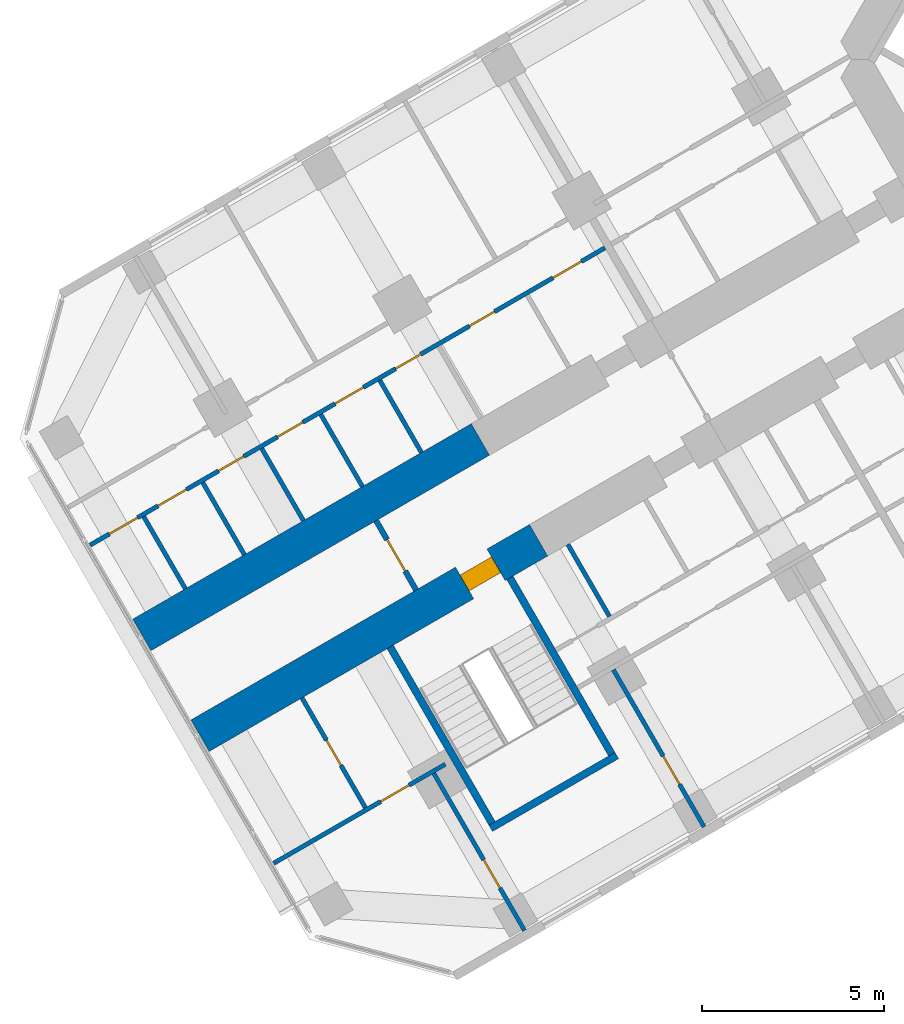
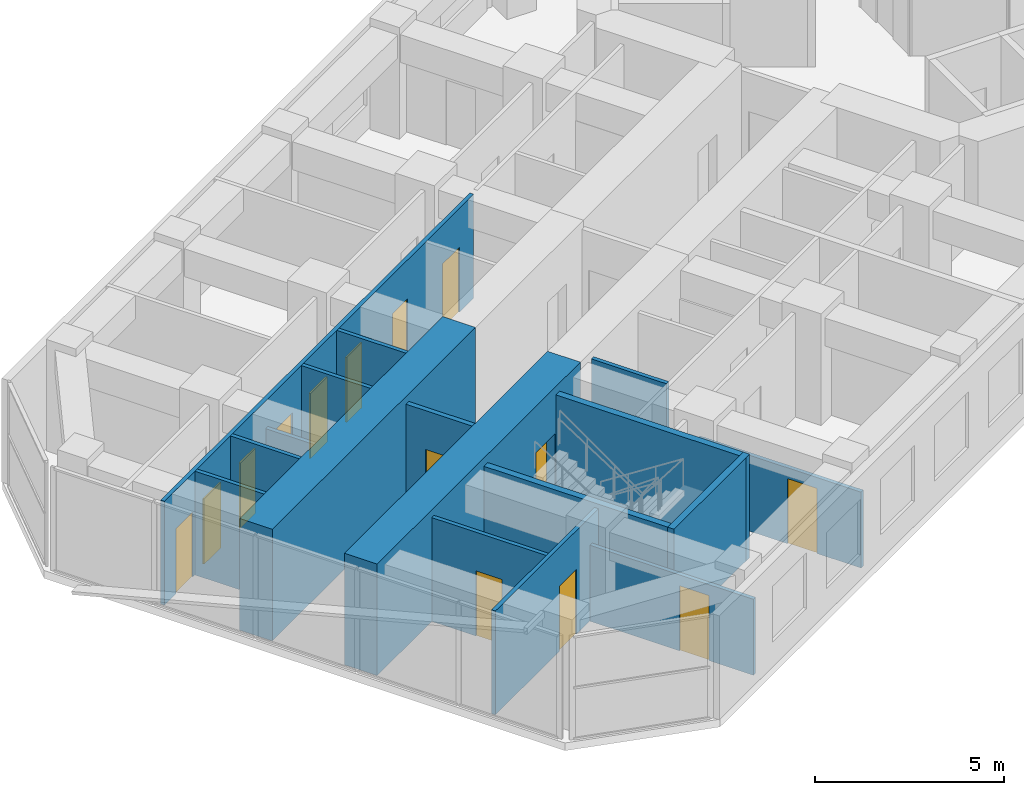
# One storey, part 10 of 21: 17 walls, 14 doors, 14 openings.
"""IFC4 building model written with IfcOpenShell, lengths in metres."""

from ifc_helpers import new_model, si_unit, direction, frame, frame_2d, origin, place, context, subcontext, project, spatial, rectangle, extrude, material, layer, layer_set, type_object, element, fill, save


model = new_model("IFC4")

# Units and contexts
model_context = context("Model", 3, precision=1e-05, world=origin(), true_north=direction((0.0, 1.0)))
body_context = subcontext(model_context, "Body", "Model", "MODEL_VIEW")
ifc_project = project(units=[si_unit("LENGTHUNIT", "METRE"), si_unit("AREAUNIT", "SQUARE_METRE"), si_unit("VOLUMEUNIT", "CUBIC_METRE"), si_unit("PLANEANGLEUNIT", "RADIAN"), si_unit("MASSUNIT", "GRAM", prefix="KILO")], contexts=[model_context])

# Site, building, storey
site_placement = place(None, origin())
site = spatial("IfcSite", under=ifc_project, at=site_placement, CompositionType="ELEMENT")
building_placement = place(site_placement, origin())
building = spatial("IfcBuilding", under=site, at=building_placement, Name="Kosmar Iwan School Tower", CompositionType="ELEMENT")
storey_placement = place(building_placement, frame((0.0, 0.0, 98.800048828125)))
storey = spatial("IfcBuildingStorey", under=building, at=storey_placement, Name="L24", CompositionType="ELEMENT", Elevation=98.800048828125)

# Wall, opening, door
ifc_material_1 = material(Name="Concrete C50/60", Category="concrete")
ifc_layer_1 = layer(ifc_material_1, 1.0)
ifc_layer_set_1 = layer_set([ifc_layer_1], Name="Corridor buttress wall 1000")
wall_type_1 = type_object("IfcWallType", Name="Corridor buttress wall 1000", PredefinedType="SHEAR", material=ifc_layer_set_1)
wall_1_placement = place(storey_placement, frame((-19.681396484375, -13.210693359375, 0.0), z_axis=(0.0, 0.0, 1.0), x_axis=(-0.866028186671, -0.499995179869, 0.0)))
wall_1 = element("IfcWall", 1, at=wall_1_placement, inside=storey, type_object=wall_type_1, Name="Corridor wall BL bay 3", PredefinedType="SHEAR", context=body_context, shape_type="SweptSolid", body=[
    extrude(rectangle(XDim=10.7451171875, YDim=1.0, at=frame_2d((5.37255859375, 0.0))), origin(), (0.0, 0.0, 1.0), 3.599853515625),
])
opening_1_placement = place(wall_1_placement, frame((1.35009765625, 0.0, 0.0)))
opening_1 = element("IfcOpeningElement", 2, at=opening_1_placement, cuts=wall_1, Name="Opening D6", PredefinedType="OPENING", context=body_context, shape_type="SweptSolid", body=[
    extrude(rectangle(XDim=1.0, YDim=2.10009765625, at=frame_2d((0.5, 1.050048828125))), frame((0.0, 0.511962890625, 0.0), z_axis=(0.0, -1.0, 0.0), x_axis=(1.0, 0.0, 0.0)), (0.0, 0.0, 1.0), 1.02392578125),
])
ifc_material_2 = material(Name="Steel fire door", Category="steel")
door_type_1 = type_object("IfcDoorType", Name="Stair door 1000x2100", OperationType="SINGLE_SWING_LEFT", PredefinedType="DOOR", material=ifc_material_2)
door_1_placement = place(opening_1_placement, origin())
door_1 = element("IfcDoor", 3, at=door_1_placement, inside=storey, type_object=door_type_1, Name="Stair WS2 door L24", OperationType="SINGLE_SWING_LEFT", OverallHeight=2.10009765625, OverallWidth=1.0, PredefinedType="DOOR", context=body_context, shape_type="SweptSolid", body=[
    extrude(rectangle(XDim=1.0, YDim=2.10009765625, at=frame_2d((0.5, 1.050048828125))), frame((0.0, 0.25, 0.0), z_axis=(0.0, -1.0, 0.0), x_axis=(1.0, 0.0, 0.0)), (0.0, 0.0, 1.0), 0.5),
])
fill(opening_1, door_1)

# Wall
wall_2_placement = place(storey_placement, frame((-21.281494140625, -10.439453125, 0.0), z_axis=(0.0, 0.0, 1.0), x_axis=(-0.866032345022, -0.499987977232, 0.0)))
element("IfcWall", 4, at=wall_2_placement, inside=storey, type_object=wall_type_1, Name="Corridor wall BR bay 3", PredefinedType="SHEAR", context=body_context, shape_type="SweptSolid", body=[
    extrude(rectangle(XDim=10.744873046875, YDim=1.0, at=frame_2d((5.37255859375, 0.0))), origin(), (0.0, 0.0, 1.0), 3.599853515625),
])

# Wall, opening, door
ifc_material_3 = material(Name="Gypsum board on steel studs, fire-rated", Category="steel")
ifc_layer_2 = layer(ifc_material_3, 0.14990234375)
ifc_layer_set_2 = layer_set([ifc_layer_2], Name="Corridor end wall 150")
wall_type_2 = type_object("IfcWallType", Name="Corridor end wall 150", PredefinedType="PARTITIONING", material=ifc_layer_set_2)
wall_3_placement = place(storey_placement, frame((-24.149169921875, -12.67236328125, 0.0), z_axis=(0.0, 0.0, 1.0), x_axis=(0.50002983664, -0.866008176907, 0.0)))
wall_3 = element("IfcWall", 5, at=wall_3_placement, inside=storey, type_object=wall_type_2, Name="Partition L24-B-CE", PredefinedType="PARTITIONING", context=body_context, shape_type="SweptSolid", body=[
    extrude(rectangle(XDim=2.199951171875, YDim=0.14990234375, at=frame_2d((1.10009765625, 0.0))), origin(), (0.0, 0.0, 1.0), 3.349853515625),
])
opening_2_placement = place(wall_3_placement, frame((0.60009765625, 0.0, 0.0)))
opening_2 = element("IfcOpeningElement", 6, at=opening_2_placement, cuts=wall_3, Name="Opening D13", PredefinedType="OPENING", context=body_context, shape_type="SweptSolid", body=[
    extrude(rectangle(XDim=1.0, YDim=2.10009765625, at=frame_2d((0.5, 1.050048828125))), frame((0.0, 0.0869140625, 0.0), z_axis=(0.0, -1.0, 0.0), x_axis=(1.0, 0.0, 0.0)), (0.0, 0.0, 1.0), 0.173828125),
])
ifc_material_4 = material(Name="Timber fire door with vision panel", Category="wood")
door_type_2 = type_object("IfcDoorType", Name="Corridor end door 1000x2100", OperationType="SINGLE_SWING_LEFT", PredefinedType="DOOR", material=ifc_material_4)
door_2_placement = place(opening_2_placement, origin())
door_2 = element("IfcDoor", 7, at=door_2_placement, inside=storey, type_object=door_type_2, Name="Reading room door L24-B", OperationType="SINGLE_SWING_RIGHT", OverallHeight=2.10009765625, OverallWidth=1.0, PredefinedType="DOOR", context=body_context, shape_type="SweptSolid", body=[
    extrude(rectangle(XDim=1.0, YDim=2.10009765625, at=frame_2d((0.5, 1.050048828125))), frame((0.0, 0.02490234375, 0.0), z_axis=(0.0, -1.0, 0.0), x_axis=(1.0, 0.0, 0.0)), (0.0, 0.0, 1.0), 0.050048828125),
])
fill(opening_2, door_2)

# Wall
ifc_material_5 = material(Name="Gypsum board on steel studs", Category="steel")
ifc_layer_3 = layer(ifc_material_5, 0.1201171875)
ifc_layer_set_3 = layer_set([ifc_layer_3], Name="Dwelling partition 120")
wall_type_3 = type_object("IfcWallType", Name="Dwelling partition 120", PredefinedType="PARTITIONING", material=ifc_layer_set_3)
wall_4_placement = place(storey_placement, frame((-18.877197265625, -13.32373046875, 0.0), z_axis=(0.0, 0.0, 1.0), x_axis=(0.500014693593, -0.866016920268, 0.0)))
element("IfcWall", 8, at=wall_4_placement, inside=storey, type_object=wall_type_3, Name="Partition L24-BL2-Y4", PredefinedType="PARTITIONING", context=body_context, shape_type="SweptSolid", body=[
    extrude(rectangle(XDim=2.2900390625, YDim=0.1201171875, at=frame_2d((1.14501953125, 0.0))), origin(), (0.0, 0.0, 1.0), 3.349853515625),
])

# Wall, opening, door
wall_5_placement = place(storey_placement, frame((-17.62646484375, -16.77001953125, 0.0), z_axis=(0.0, 0.0, 1.0), x_axis=(0.499975153383, -0.86603974851, 0.0)))
wall_5 = element("IfcWall", 9, at=wall_5_placement, inside=storey, type_object=wall_type_3, Name="Partition L24-BL2-TB", PredefinedType="PARTITIONING", context=body_context, shape_type="SweptSolid", body=[
    extrude(rectangle(XDim=4.989990234375, YDim=0.1201171875, at=frame_2d((2.4951171875, 0.0))), origin(), (0.0, 0.0, 1.0), 2.449951171875),
])
opening_3_placement = place(wall_5_placement, frame((2.739990234375, 0.0, 0.0)))
opening_3 = element("IfcOpeningElement", 10, at=opening_3_placement, cuts=wall_5, Name="Opening D2", PredefinedType="OPENING", context=body_context, shape_type="SweptSolid", body=[
    extrude(rectangle(XDim=0.89990234375, YDim=2.10009765625, at=frame_2d((0.449951171875, 1.050048828125))), frame((0.0, 0.072021484375, 0.0), z_axis=(0.0, -1.0, 0.0), x_axis=(1.0, 0.0, 0.0)), (0.0, 0.0, 1.0), 0.14404296875),
])
ifc_material_6 = material(Name="Timber door in timber frame", Category="wood")
door_type_3 = type_object("IfcDoorType", Name="Internal door 900x2100", OperationType="SINGLE_SWING_LEFT", PredefinedType="DOOR", material=ifc_material_6)
door_3_placement = place(opening_3_placement, origin())
door_3 = element("IfcDoor", 11, at=door_3_placement, inside=storey, type_object=door_type_3, Name="Study door L24-BL2-F2", OperationType="SINGLE_SWING_RIGHT", OverallHeight=2.10009765625, OverallWidth=0.89990234375, PredefinedType="DOOR", context=body_context, shape_type="SweptSolid", body=[
    extrude(rectangle(XDim=0.89990234375, YDim=2.10009765625, at=frame_2d((0.449951171875, 1.050048828125))), frame((0.0, 0.02490234375, 0.0), z_axis=(0.0, -1.0, 0.0), x_axis=(1.0, 0.0, 0.0)), (0.0, 0.0, 1.0), 0.050048828125),
])
fill(opening_3, door_3)

wall_6_placement = place(storey_placement, frame((-22.562744140625, -19.6201171875, 0.0), z_axis=(0.0, 0.0, 1.0), x_axis=(0.499996339024, -0.86602751744, 0.0)))
wall_6 = element("IfcWall", 12, at=wall_6_placement, inside=storey, type_object=wall_type_3, Name="Partition L24-BL2-TX", PredefinedType="PARTITIONING", context=body_context, shape_type="SweptSolid", body=[
    extrude(rectangle(XDim=4.98974609375, YDim=0.1201171875, at=frame_2d((2.494873046875, 0.0))), origin(), (0.0, 0.0, 1.0), 2.449951171875),
])
opening_4_placement = place(wall_6_placement, frame((2.739990234375, 0.0, 0.0)))
opening_4 = element("IfcOpeningElement", 13, at=opening_4_placement, cuts=wall_6, Name="Opening D2", PredefinedType="OPENING", context=body_context, shape_type="SweptSolid", body=[
    extrude(rectangle(XDim=0.89990234375, YDim=2.10009765625, at=frame_2d((0.449951171875, 1.050048828125))), frame((0.0, 0.072021484375, 0.0), z_axis=(0.0, -1.0, 0.0), x_axis=(1.0, 0.0, 0.0)), (0.0, 0.0, 1.0), 0.14404296875),
])
door_4_placement = place(opening_4_placement, origin())
door_4 = element("IfcDoor", 14, at=door_4_placement, inside=storey, type_object=door_type_3, Name="Study door L24-BL2-T1", OperationType="SINGLE_SWING_RIGHT", OverallHeight=2.10009765625, OverallWidth=0.89990234375, PredefinedType="DOOR", context=body_context, shape_type="SweptSolid", body=[
    extrude(rectangle(XDim=0.89990234375, YDim=2.10009765625, at=frame_2d((0.449951171875, 1.050048828125))), frame((0.0, 0.02490234375, 0.0), z_axis=(0.0, -1.0, 0.0), x_axis=(1.0, 0.0, 0.0)), (0.0, 0.0, 1.0), 0.050048828125),
])
fill(opening_4, door_4)

wall_7_placement = place(storey_placement, frame((-22.246337890625, -19.3681640625, 0.0), z_axis=(0.0, 0.0, 1.0), x_axis=(-0.866035508231, -0.499982498177, 0.0)))
wall_7 = element("IfcWall", 15, at=wall_7_placement, inside=storey, type_object=wall_type_3, Name="Partition L24-BL2-TW", PredefinedType="PARTITIONING", context=body_context, shape_type="SweptSolid", body=[
    extrude(rectangle(XDim=5.445068359375, YDim=0.1201171875, at=frame_2d((2.72265625, 0.0))), origin(), (0.0, 0.0, 1.0), 3.349853515625),
])
opening_5_placement = place(wall_7_placement, frame((1.14990234375, 0.0, 0.0)))
opening_5 = element("IfcOpeningElement", 16, at=opening_5_placement, cuts=wall_7, Name="Opening D2", PredefinedType="OPENING", context=body_context, shape_type="SweptSolid", body=[
    extrude(rectangle(XDim=0.89990234375, YDim=2.10009765625, at=frame_2d((0.449951171875, 1.050048828125))), frame((0.0, 0.072021484375, 0.0), z_axis=(0.0, -1.0, 0.0), x_axis=(1.0, 0.0, 0.0)), (0.0, 0.0, 1.0), 0.14404296875),
])
door_5_placement = place(opening_5_placement, origin())
door_5 = element("IfcDoor", 17, at=door_5_placement, inside=storey, type_object=door_type_3, Name="Dressing room door L24-BL2-T3", OperationType="SINGLE_SWING_LEFT", OverallHeight=2.10009765625, OverallWidth=0.89990234375, PredefinedType="DOOR", context=body_context, shape_type="SweptSolid", body=[
    extrude(rectangle(XDim=0.89990234375, YDim=2.10009765625, at=frame_2d((0.449951171875, 1.050048828125))), frame((0.0, 0.02490234375, 0.0), z_axis=(0.0, -1.0, 0.0), x_axis=(1.0, 0.0, 0.0)), (0.0, 0.0, 1.0), 0.050048828125),
])
fill(opening_5, door_5)

wall_8_placement = place(storey_placement, frame((-26.1865234375, -17.543701171875, 0.0), z_axis=(0.0, 0.0, 1.0), x_axis=(0.50002117804, -0.866013176292, 0.0)))
wall_8 = element("IfcWall", 18, at=wall_8_placement, inside=storey, type_object=wall_type_3, Name="Partition L24-BL2-TY", PredefinedType="PARTITIONING", context=body_context, shape_type="SweptSolid", body=[
    extrude(rectangle(XDim=3.489990234375, YDim=0.1201171875, at=frame_2d((1.7451171875, 0.0))), origin(), (0.0, 0.0, 1.0), 3.349853515625),
])
opening_6_placement = place(wall_8_placement, frame((1.344970703125, 0.0, 0.0)))
opening_6 = element("IfcOpeningElement", 19, at=opening_6_placement, cuts=wall_8, Name="Opening D3", PredefinedType="OPENING", context=body_context, shape_type="SweptSolid", body=[
    extrude(rectangle(XDim=0.800048828125, YDim=2.10009765625, at=frame_2d((0.39990234375, 1.050048828125))), frame((0.0, 0.072021484375, 0.0), z_axis=(0.0, -1.0, 0.0), x_axis=(1.0, 0.0, 0.0)), (0.0, 0.0, 1.0), 0.14404296875),
])
ifc_material_7 = material(Name="Timber door in timber frame", Category="wood")
door_type_4 = type_object("IfcDoorType", Name="Sanitary room door 800x2100", OperationType="SINGLE_SWING_LEFT", PredefinedType="DOOR", material=ifc_material_7)
door_6_placement = place(opening_6_placement, origin())
door_6 = element("IfcDoor", 20, at=door_6_placement, inside=storey, type_object=door_type_4, Name="Shower room door L24-BL2-T4", OperationType="SINGLE_SWING_RIGHT", OverallHeight=2.10009765625, OverallWidth=0.800048828125, PredefinedType="DOOR", context=body_context, shape_type="SweptSolid", body=[
    extrude(rectangle(XDim=0.800048828125, YDim=2.10009765625, at=frame_2d((0.39990234375, 1.050048828125))), frame((0.0, 0.02490234375, 0.0), z_axis=(0.0, -1.0, 0.0), x_axis=(1.0, 0.0, 0.0)), (0.0, 0.0, 1.0), 0.050048828125),
])
fill(opening_6, door_6)

# Wall, openings, doors
wall_9_placement = place(storey_placement, frame((-17.856689453125, -5.171142578125, 0.0), z_axis=(0.0, 0.0, 1.0), x_axis=(-0.866023907196, -0.500002592159, 0.0)))
wall_9 = element("IfcWall", 21, at=wall_9_placement, inside=storey, type_object=wall_type_3, Name="Partition L24-BR2-W1", PredefinedType="PARTITIONING", context=body_context, shape_type="SweptSolid", body=[
    extrude(rectangle(XDim=16.34521484375, YDim=0.1201171875, at=frame_2d((8.172607421875, 0.0))), origin(), (0.0, 0.0, 1.0), 3.349853515625),
])
opening_7_placement = place(wall_9_placement, frame((0.75, 0.0, 0.0)))
opening_7 = element("IfcOpeningElement", 22, at=opening_7_placement, cuts=wall_9, Name="Opening D2", PredefinedType="OPENING", context=body_context, shape_type="SweptSolid", body=[
    extrude(rectangle(XDim=0.89990234375, YDim=2.10009765625, at=frame_2d((0.449951171875, 1.050048828125))), frame((0.0, 0.072021484375, 0.0), z_axis=(0.0, -1.0, 0.0), x_axis=(1.0, 0.0, 0.0)), (0.0, 0.0, 1.0), 0.14404296875),
])
opening_8_placement = place(wall_9_placement, frame((3.505126953125, 0.0, 0.0)))
opening_8 = element("IfcOpeningElement", 23, at=opening_8_placement, cuts=wall_9, Name="Opening D3", PredefinedType="OPENING", context=body_context, shape_type="SweptSolid", body=[
    extrude(rectangle(XDim=0.800048828125, YDim=2.10009765625, at=frame_2d((0.39990234375, 1.050048828125))), frame((0.0, 0.072021484375, 0.0), z_axis=(0.0, -1.0, 0.0), x_axis=(1.0, 0.0, 0.0)), (0.0, 0.0, 1.0), 0.14404296875),
])
opening_9_placement = place(wall_9_placement, frame((5.8466796875, 0.0, 0.0)))
opening_9 = element("IfcOpeningElement", 24, at=opening_9_placement, cuts=wall_9, Name="Opening D3", PredefinedType="OPENING", context=body_context, shape_type="SweptSolid", body=[
    extrude(rectangle(XDim=0.800048828125, YDim=2.10009765625, at=frame_2d((0.39990234375, 1.050048828125))), frame((0.0, 0.072021484375, 0.0), z_axis=(0.0, -1.0, 0.0), x_axis=(1.0, 0.0, 0.0)), (0.0, 0.0, 1.0), 0.14404296875),
])
opening_10_placement = place(wall_9_placement, frame((7.669921875, 0.0, 0.0)))
opening_10 = element("IfcOpeningElement", 25, at=opening_10_placement, cuts=wall_9, Name="Opening D2", PredefinedType="OPENING", context=body_context, shape_type="SweptSolid", body=[
    extrude(rectangle(XDim=0.89990234375, YDim=2.10009765625, at=frame_2d((0.449951171875, 1.050048828125))), frame((0.0, 0.072021484375, 0.0), z_axis=(0.0, -1.0, 0.0), x_axis=(1.0, 0.0, 0.0)), (0.0, 0.0, 1.0), 0.14404296875),
])
opening_11_placement = place(wall_9_placement, frame((9.59326171875, 0.0, 0.0)))
opening_11 = element("IfcOpeningElement", 26, at=opening_11_placement, cuts=wall_9, Name="Opening D3", PredefinedType="OPENING", context=body_context, shape_type="SweptSolid", body=[
    extrude(rectangle(XDim=0.800048828125, YDim=2.10009765625, at=frame_2d((0.39990234375, 1.050048828125))), frame((0.0, 0.072021484375, 0.0), z_axis=(0.0, -1.0, 0.0), x_axis=(1.0, 0.0, 0.0)), (0.0, 0.0, 1.0), 0.14404296875),
])
opening_12_placement = place(wall_9_placement, frame((11.466796875, 0.0, 0.0)))
opening_12 = element("IfcOpeningElement", 27, at=opening_12_placement, cuts=wall_9, Name="Opening D3", PredefinedType="OPENING", context=body_context, shape_type="SweptSolid", body=[
    extrude(rectangle(XDim=0.800048828125, YDim=2.10009765625, at=frame_2d((0.39990234375, 1.050048828125))), frame((0.0, 0.072021484375, 0.0), z_axis=(0.0, -1.0, 0.0), x_axis=(1.0, 0.0, 0.0)), (0.0, 0.0, 1.0), 0.14404296875),
])
opening_13_placement = place(wall_9_placement, frame((13.2900390625, 0.0, 0.0)))
opening_13 = element("IfcOpeningElement", 28, at=opening_13_placement, cuts=wall_9, Name="Opening D2", PredefinedType="OPENING", context=body_context, shape_type="SweptSolid", body=[
    extrude(rectangle(XDim=0.89990234375, YDim=2.10009765625, at=frame_2d((0.449951171875, 1.050048828125))), frame((0.0, 0.072021484375, 0.0), z_axis=(0.0, -1.0, 0.0), x_axis=(1.0, 0.0, 0.0)), (0.0, 0.0, 1.0), 0.14404296875),
])
opening_14_placement = place(wall_9_placement, frame((14.836669921875, 0.0, 0.0)))
opening_14 = element("IfcOpeningElement", 29, at=opening_14_placement, cuts=wall_9, Name="Opening D2", PredefinedType="OPENING", context=body_context, shape_type="SweptSolid", body=[
    extrude(rectangle(XDim=0.89990234375, YDim=2.10009765625, at=frame_2d((0.449951171875, 1.050048828125))), frame((0.0, 0.072021484375, 0.0), z_axis=(0.0, -1.0, 0.0), x_axis=(1.0, 0.0, 0.0)), (0.0, 0.0, 1.0), 0.14404296875),
])
door_7_placement = place(opening_7_placement, origin())
door_7 = element("IfcDoor", 30, at=door_7_placement, inside=storey, type_object=door_type_3, Name="Entrance hall door L24-BR2-S1", OperationType="SINGLE_SWING_LEFT", OverallHeight=2.10009765625, OverallWidth=0.89990234375, PredefinedType="DOOR", context=body_context, shape_type="SweptSolid", body=[
    extrude(rectangle(XDim=0.89990234375, YDim=2.10009765625, at=frame_2d((0.449951171875, 1.050048828125))), frame((0.0, 0.02490234375, 0.0), z_axis=(0.0, -1.0, 0.0), x_axis=(1.0, 0.0, 0.0)), (0.0, 0.0, 1.0), 0.050048828125),
])
fill(opening_7, door_7)
door_8_placement = place(opening_10_placement, origin())
door_8 = element("IfcDoor", 31, at=door_8_placement, inside=storey, type_object=door_type_3, Name="Pantry door L24-BR2-S4", OperationType="SINGLE_SWING_RIGHT", OverallHeight=2.10009765625, OverallWidth=0.89990234375, PredefinedType="DOOR", context=body_context, shape_type="SweptSolid", body=[
    extrude(rectangle(XDim=0.89990234375, YDim=2.10009765625, at=frame_2d((0.449951171875, 1.050048828125))), frame((0.0, 0.02490234375, 0.0), z_axis=(0.0, -1.0, 0.0), x_axis=(1.0, 0.0, 0.0)), (0.0, 0.0, 1.0), 0.050048828125),
])
fill(opening_10, door_8)
door_9_placement = place(opening_13_placement, origin())
door_9 = element("IfcDoor", 32, at=door_9_placement, inside=storey, type_object=door_type_3, Name="Utility room door L24-BR2-S7", OperationType="SINGLE_SWING_LEFT", OverallHeight=2.10009765625, OverallWidth=0.89990234375, PredefinedType="DOOR", context=body_context, shape_type="SweptSolid", body=[
    extrude(rectangle(XDim=0.89990234375, YDim=2.10009765625, at=frame_2d((0.449951171875, 1.050048828125))), frame((0.0, 0.02490234375, 0.0), z_axis=(0.0, -1.0, 0.0), x_axis=(1.0, 0.0, 0.0)), (0.0, 0.0, 1.0), 0.050048828125),
])
fill(opening_13, door_9)
door_10_placement = place(opening_14_placement, origin())
door_10 = element("IfcDoor", 33, at=door_10_placement, inside=storey, type_object=door_type_3, Name="Dressing room door L24-BR2-S8", OperationType="SINGLE_SWING_LEFT", OverallHeight=2.10009765625, OverallWidth=0.89990234375, PredefinedType="DOOR", context=body_context, shape_type="SweptSolid", body=[
    extrude(rectangle(XDim=0.89990234375, YDim=2.10009765625, at=frame_2d((0.449951171875, 1.050048828125))), frame((0.0, 0.02490234375, 0.0), z_axis=(0.0, -1.0, 0.0), x_axis=(1.0, 0.0, 0.0)), (0.0, 0.0, 1.0), 0.050048828125),
])
fill(opening_14, door_10)
door_11_placement = place(opening_8_placement, origin())
door_11 = element("IfcDoor", 34, at=door_11_placement, inside=storey, type_object=door_type_4, Name="Bathroom door L24-BR2-S2", OperationType="SINGLE_SWING_RIGHT", OverallHeight=2.10009765625, OverallWidth=0.800048828125, PredefinedType="DOOR", context=body_context, shape_type="SweptSolid", body=[
    extrude(rectangle(XDim=0.800048828125, YDim=2.10009765625, at=frame_2d((0.39990234375, 1.050048828125))), frame((0.0, 0.02490234375, 0.0), z_axis=(0.0, -1.0, 0.0), x_axis=(1.0, 0.0, 0.0)), (0.0, 0.0, 1.0), 0.050048828125),
])
fill(opening_8, door_11)
door_12_placement = place(opening_9_placement, origin())
door_12 = element("IfcDoor", 35, at=door_12_placement, inside=storey, type_object=door_type_4, Name="Shower room door L24-BR2-S3", OperationType="SINGLE_SWING_LEFT", OverallHeight=2.10009765625, OverallWidth=0.800048828125, PredefinedType="DOOR", context=body_context, shape_type="SweptSolid", body=[
    extrude(rectangle(XDim=0.800048828125, YDim=2.10009765625, at=frame_2d((0.39990234375, 1.050048828125))), frame((0.0, 0.02490234375, 0.0), z_axis=(0.0, -1.0, 0.0), x_axis=(1.0, 0.0, 0.0)), (0.0, 0.0, 1.0), 0.050048828125),
])
fill(opening_9, door_12)
door_13_placement = place(opening_11_placement, origin())
door_13 = element("IfcDoor", 36, at=door_13_placement, inside=storey, type_object=door_type_4, Name="WC door L24-BR2-S5", OperationType="SINGLE_SWING_LEFT", OverallHeight=2.10009765625, OverallWidth=0.800048828125, PredefinedType="DOOR", context=body_context, shape_type="SweptSolid", body=[
    extrude(rectangle(XDim=0.800048828125, YDim=2.10009765625, at=frame_2d((0.39990234375, 1.050048828125))), frame((0.0, 0.02490234375, 0.0), z_axis=(0.0, -1.0, 0.0), x_axis=(1.0, 0.0, 0.0)), (0.0, 0.0, 1.0), 0.050048828125),
])
fill(opening_11, door_13)
door_14_placement = place(opening_12_placement, origin())
door_14 = element("IfcDoor", 37, at=door_14_placement, inside=storey, type_object=door_type_4, Name="Store door L24-BR2-S6", OperationType="SINGLE_SWING_RIGHT", OverallHeight=2.10009765625, OverallWidth=0.800048828125, PredefinedType="DOOR", context=body_context, shape_type="SweptSolid", body=[
    extrude(rectangle(XDim=0.800048828125, YDim=2.10009765625, at=frame_2d((0.39990234375, 1.050048828125))), frame((0.0, 0.02490234375, 0.0), z_axis=(0.0, -1.0, 0.0), x_axis=(1.0, 0.0, 0.0)), (0.0, 0.0, 1.0), 0.050048828125),
])
fill(opening_12, door_14)

# Walls
wall_10_placement = place(storey_placement, frame((-22.902587890625, -10.798095703125, 0.0), z_axis=(0.0, 0.0, 1.0), x_axis=(-0.499968531483, 0.866043571379, 0.0)))
element("IfcWall", 38, at=wall_10_placement, inside=storey, type_object=wall_type_3, Name="Partition L24-BR2-Y3", PredefinedType="PARTITIONING", context=body_context, shape_type="SweptSolid", body=[
    extrude(rectangle(XDim=2.290283203125, YDim=0.1201171875, at=frame_2d((1.14501953125, 0.0))), origin(), (0.0, 0.0, 1.0), 3.349853515625),
])
wall_11_placement = place(storey_placement, frame((-24.525146484375, -11.734619140625, 0.0), z_axis=(0.0, 0.0, 1.0), x_axis=(-0.500014693593, 0.866016920268, 0.0)))
element("IfcWall", 39, at=wall_11_placement, inside=storey, type_object=wall_type_3, Name="Partition L24-BR2-Y4", PredefinedType="PARTITIONING", context=body_context, shape_type="SweptSolid", body=[
    extrude(rectangle(XDim=2.2900390625, YDim=0.1201171875, at=frame_2d((1.14501953125, 0.0))), origin(), (0.0, 0.0, 1.0), 3.349853515625),
])
wall_12_placement = place(storey_placement, frame((-26.1474609375, -12.67138671875, 0.0), z_axis=(0.0, 0.0, 1.0), x_axis=(-0.500014693593, 0.866016920268, 0.0)))
element("IfcWall", 40, at=wall_12_placement, inside=storey, type_object=wall_type_3, Name="Partition L24-BR2-Y5", PredefinedType="PARTITIONING", context=body_context, shape_type="SweptSolid", body=[
    extrude(rectangle(XDim=2.2900390625, YDim=0.1201171875, at=frame_2d((1.14501953125, 0.0))), origin(), (0.0, 0.0, 1.0), 2.449951171875),
])
for number, where, z_axis, x_axis, name in (
    (41, (-27.769775390625, -13.60791015625, 0.0), (0.0, 0.0, 1.0), (-0.500014693593, 0.866016920268, 0.0), "Partition L24-BR2-Y6"),
    (42, (-29.39208984375, -14.544677734375, 0.0), (0.0, 0.0, 1.0), (-0.500014693593, 0.866016920268, 0.0), "Partition L24-BR2-Y7"),
):
    element("IfcWall", number, at=place(storey_placement, frame(where, z_axis=z_axis, x_axis=x_axis)), inside=storey, type_object=wall_type_3, Name=name, PredefinedType="PARTITIONING", context=body_context, shape_type="SweptSolid", body=[
        extrude(rectangle(XDim=2.2900390625, YDim=0.1201171875, at=frame_2d((1.14501953125, 0.0))), origin(), (0.0, 0.0, 1.0), 3.349853515625),
    ])
ifc_material_8 = material(Name="Concrete C35/45", Category="concrete")
ifc_layer_4 = layer(ifc_material_8, 0.199951171875)
ifc_layer_set_4 = layer_set([ifc_layer_4], Name="Escape stair wall 200")
wall_type_4 = type_object("IfcWallType", Name="Escape stair wall 200", PredefinedType="SHEAR", material=ifc_layer_set_4)
for number, where, z_axis, x_axis, name in (
    (43, (-20.470703125, -14.24365234375, 0.0), (0.0, 0.0, 1.0), (0.499987231761, -0.866032775405, 0.0), "Stair WS2 wall"),
    (44, (-23.76171875, -16.1435546875, 0.0), (0.0, 0.0, 1.0), (0.500018801468, -0.86601454848, 0.0), "Stair WS2 wall"),
):
    element("IfcWall", number, at=place(storey_placement, frame(where, z_axis=z_axis, x_axis=x_axis)), inside=storey, type_object=wall_type_4, Name=name, PredefinedType="SHEAR", context=body_context, shape_type="SweptSolid", body=[
        extrude(rectangle(XDim=5.800048828125, YDim=0.199951171875, at=frame_2d((2.89990234375, 0.0))), origin(), (0.0, 0.0, 1.0), 3.329833984375),
    ])
wall_13_placement = place(storey_placement, frame((-17.5341796875, -19.1298828125, 0.0), z_axis=(0.0, 0.0, 1.0), x_axis=(-0.866026010844, -0.49999894854, 0.0)))
element("IfcWall", 45, at=wall_13_placement, inside=storey, type_object=wall_type_4, Name="Stair WS2 wall", PredefinedType="SHEAR", context=body_context, shape_type="SweptSolid", body=[
    extrude(rectangle(XDim=4.0, YDim=0.199951171875, at=frame_2d((2.0, 0.0))), origin(), (0.0, 0.0, 1.0), 3.329833984375),
])

save(model, "model.ifc")
